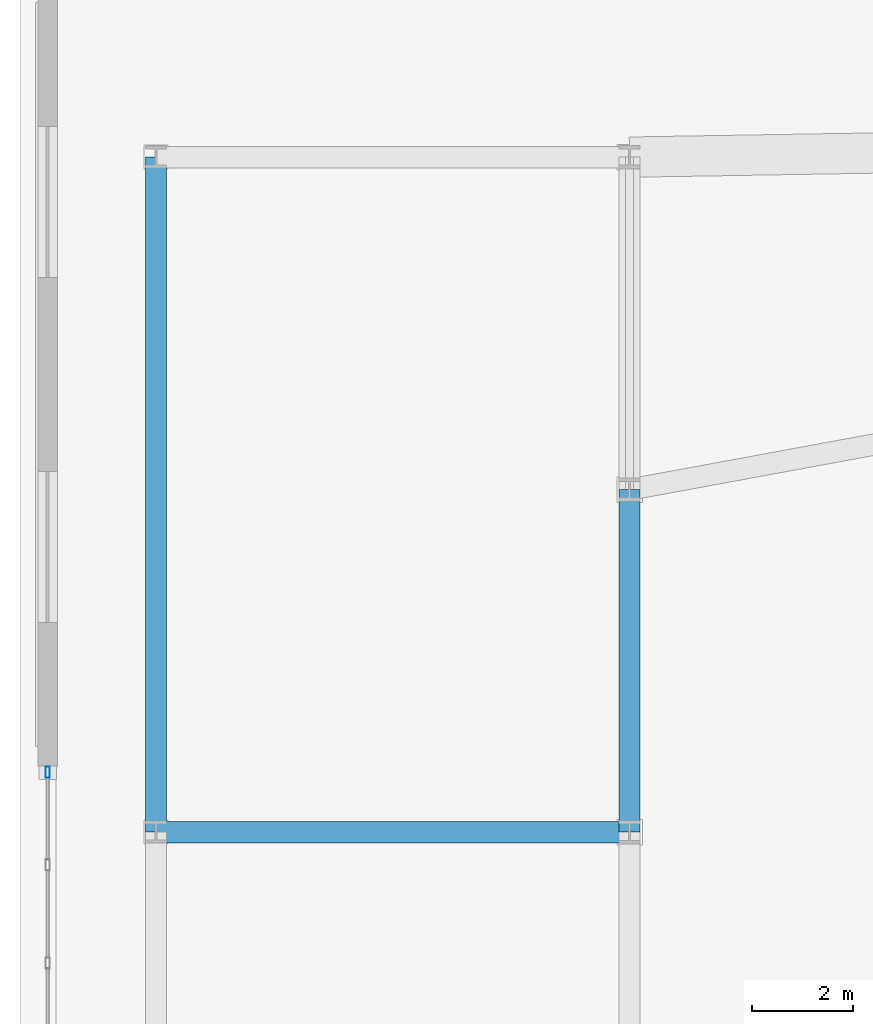
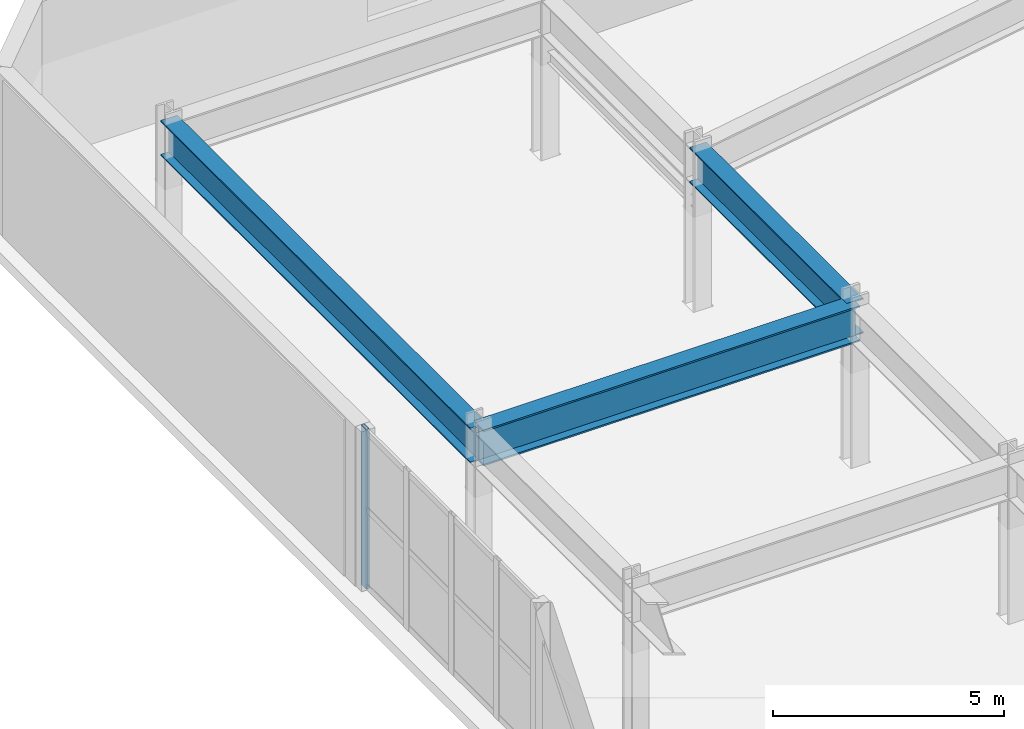
# One storey, part 6 of 21: 3 beams, 1 member, 1 element without a shape of its own.
"""IFC4 building model written with IfcOpenShell, lengths in metres."""

from ifc_helpers import new_model, si_unit, direction, frame, origin, origin_2d, place, context, subcontext, project, spatial, hollow_rectangle, i_section, extrude, material, layer, layer_set, material_profile, profile_set, type_object, element, aggregate, save


model = new_model("IFC4")

# Units and contexts
model_context = context("Model", 3, precision=1e-05, world=origin(), true_north=direction((0.0, 1.0)))
body_context = subcontext(model_context, "Body", "Model", "MODEL_VIEW")
ifc_project = project(units=[si_unit("LENGTHUNIT", "METRE"), si_unit("AREAUNIT", "SQUARE_METRE"), si_unit("VOLUMEUNIT", "CUBIC_METRE"), si_unit("PLANEANGLEUNIT", "RADIAN"), si_unit("MASSUNIT", "GRAM", prefix="KILO")], contexts=[model_context])

# Site, building, storey
site_placement = place(None, origin())
site = spatial("IfcSite", under=ifc_project, at=site_placement, CompositionType="ELEMENT")
building_placement = place(site_placement, origin())
building = spatial("IfcBuilding", under=site, at=building_placement, Name="Oramaril Tower", CompositionType="ELEMENT")
storey_placement = place(building_placement, frame((0.0, 0.0, 5.39990234375)))
storey = spatial("IfcBuildingStorey", under=building, at=storey_placement, Name="L01", CompositionType="ELEMENT", Elevation=5.39990234375)

# Beams
ifc_material_1 = material(Name="Steel ASTM A572 Gr 50", Category="steel")
ifc_material_profile_1 = material_profile(ifc_material_1, i_section(OverallWidth=0.424072265625, OverallDepth=0.947021484375, WebThickness=0.02392578125, FlangeThickness=0.042724609375, at=origin_2d()), Name="W36X302")
ifc_profile_set_1 = profile_set([ifc_material_profile_1], Name="Steel ASTM A572 Gr 50")
beam_type_1 = type_object("IfcBeamType", Name="BT-PG1", PredefinedType="BEAM", material=ifc_profile_set_1)
beam_1_placement = place(storey_placement, frame((-0.800048828125, 25.39990234375, 3.74658203125), z_axis=(1.0, 0.0, 0.0), x_axis=(0.0, 1.0, 0.0)))
element("IfcBeam", 1, at=beam_1_placement, inside=storey, type_object=beam_type_1, Name="L01 Wing Transverse Girder 03", PredefinedType="BEAM", context=body_context, shape_type="SweptSolid", body=[
    extrude(i_section(OverallWidth=0.424072265625, OverallDepth=0.947021484375, WebThickness=0.02392578125, FlangeThickness=0.042724609375, at=origin_2d()), origin(), (0.0, 0.0, 1.0), 9.400146484375),
])
ifc_material_2 = material(Name="Steel ASTM A572 Gr 50", Category="steel")
ifc_material_profile_2 = material_profile(ifc_material_2, i_section(OverallWidth=0.4189453125, OverallDepth=0.927001953125, WebThickness=0.019287109375, FlangeThickness=0.031982421875, at=origin_2d()), Name="W36X231")
ifc_profile_set_2 = profile_set([ifc_material_profile_2], Name="Steel ASTM A572 Gr 50")
beam_type_2 = type_object("IfcBeamType", Name="BT-PG2", PredefinedType="BEAM", material=ifc_profile_set_2)
beam_2_placement = place(storey_placement, frame((8.60009765625, 25.39990234375, 3.756591796875), z_axis=(0.0, 1.0, 0.0), x_axis=(-1.0, 0.0, 0.0)))
element("IfcBeam", 2, at=beam_2_placement, inside=storey, type_object=beam_type_2, Name="L01 Podium Perimeter Girder 04", PredefinedType="BEAM", context=body_context, shape_type="SweptSolid", body=[
    extrude(i_section(OverallWidth=0.4189453125, OverallDepth=0.927001953125, WebThickness=0.019287109375, FlangeThickness=0.031982421875, at=origin_2d()), origin(), (0.0, 0.0, 1.0), 6.800048828125),
])
beam_3_placement = place(storey_placement, frame((-0.800048828125, 25.39990234375, 3.756591796875), z_axis=(0.0, 1.0, 0.0), x_axis=(-1.0, 0.0, 0.0)))
element("IfcBeam", 3, at=beam_3_placement, inside=storey, type_object=beam_type_2, Name="L01 Wing Perimeter Girder 03", PredefinedType="BEAM", context=body_context, shape_type="SweptSolid", body=[
    extrude(i_section(OverallWidth=0.4189453125, OverallDepth=0.927001953125, WebThickness=0.019287109375, FlangeThickness=0.031982421875, at=origin_2d()), origin(), (0.0, 0.0, 1.0), 13.400146484375),
])

# Curtain wall, member
ifc_material_3 = material(Name="Anodised Aluminium 6063-T6", Category="aluminium")
ifc_layer = layer(ifc_material_3, 0.219970703125)
ifc_layer_set = layer_set([ifc_layer], Name="CWT-SYS1")
curtain_wall_type = type_object("IfcCurtainWallType", Name="CWT-SYS1", PredefinedType="NOTDEFINED", material=ifc_layer_set)
curtain_wall_placement = place(storey_placement, origin())
curtain_wall = element("IfcCurtainWall", 4, at=curtain_wall_placement, inside=storey, type_object=curtain_wall_type, Name="L01 Unitised Curtain Wall CW-1", PredefinedType="NOTDEFINED")
ifc_material_4 = material(Name="Anodised Aluminium 6063-T6", Category="aluminium")
ifc_material_profile_3 = material_profile(ifc_material_4, hollow_rectangle(XDim=0.080078125, YDim=0.219970703125, WallThickness=0.00390625, at=origin_2d()), Name="CWM220X80")
ifc_profile_set_3 = profile_set([ifc_material_profile_3], Name="Anodised Aluminium 6063-T6")
member_type = type_object("IfcMemberType", Name="MT-CWM1", PredefinedType="MULLION", material=ifc_profile_set_3)
member_placement = place(storey_placement, frame((-2.949951171875, 26.590087890625, 0.0), z_axis=(0.0, 0.0, 1.0), x_axis=(1.0, 0.0, 0.0)))
member = element("IfcMember", 5, at=member_placement, type_object=member_type, Name="CW-1 mullion 1", PredefinedType="MULLION", context=body_context, shape_type="SweptSolid", body=[
    extrude(hollow_rectangle(XDim=0.080078125, YDim=0.219970703125, WallThickness=0.00390625, at=origin_2d()), origin(), (0.0, 0.0, 1.0), 4.22021484375),
])
aggregate(curtain_wall, [member])

save(model, "model.ifc")
